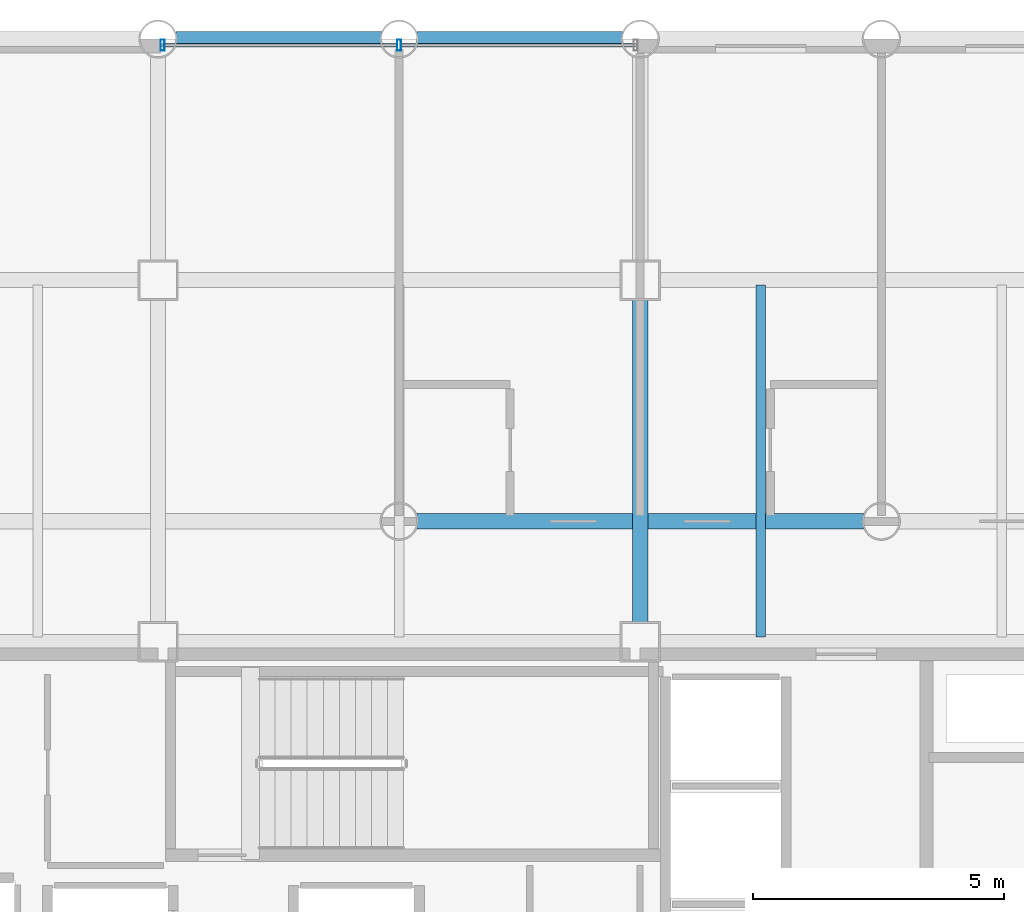
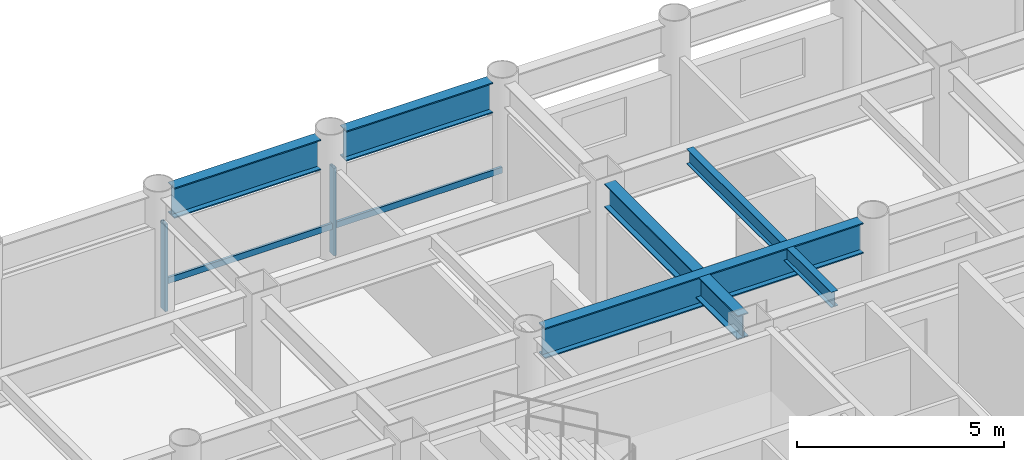
# One storey, part 11 of 19: 5 beams, 4 members, 1 element without a shape of its own.
"""IFC4 building model written with IfcOpenShell, lengths in metres."""

from ifc_helpers import new_model, si_unit, direction, frame, origin, origin_2d, place, context, subcontext, project, spatial, hollow_rectangle, i_section, extrude, material, layer, layer_set, material_profile, profile_set, type_object, element, aggregate, save


model = new_model("IFC4")

# Units and contexts
model_context = context("Model", 3, precision=1e-05, world=origin(), true_north=direction((0.0, 1.0)))
body_context = subcontext(model_context, "Body", "Model", "MODEL_VIEW")
ifc_project = project(units=[si_unit("LENGTHUNIT", "METRE"), si_unit("AREAUNIT", "SQUARE_METRE"), si_unit("VOLUMEUNIT", "CUBIC_METRE"), si_unit("PLANEANGLEUNIT", "RADIAN"), si_unit("MASSUNIT", "GRAM", prefix="KILO")], contexts=[model_context])

# Site, building, storey
site_placement = place(None, origin())
site = spatial("IfcSite", under=ifc_project, at=site_placement, CompositionType="ELEMENT")
building_placement = place(site_placement, origin())
building = spatial("IfcBuilding", under=site, at=building_placement, Name="Kallvorn Hotel Tower", CompositionType="ELEMENT")
storey_placement = place(building_placement, frame((0.0, 0.0, 67.0)))
storey = spatial("IfcBuildingStorey", under=building, at=storey_placement, Name="L15", CompositionType="ELEMENT", Elevation=67.0)

# Beams
ifc_material_1 = material(Name="Structural steel S355JR", Category="steel")
ifc_material_profile_1 = material_profile(ifc_material_1, i_section(OverallWidth=0.300048828125, OverallDepth=0.699951171875, WebThickness=0.01708984375, FlangeThickness=0.031982421875, at=origin_2d()), Name="HE 700 B")
ifc_profile_set_1 = profile_set([ifc_material_profile_1], Name="Structural steel S355JR")
beam_type_1 = type_object("IfcBeamType", Name="BM_HE700B", PredefinedType="BEAM", material=ifc_profile_set_1)
beam_1_placement = place(storey_placement, frame((4.800048828125, 7.574951171875, 3.169921875), z_axis=(0.0, 1.0, 0.0), x_axis=(-1.0, 0.0, 0.0)))
element("IfcBeam", 1, at=beam_1_placement, inside=storey, type_object=beam_type_1, Name="L16 Primary Y-Girder 116", PredefinedType="BEAM", context=body_context, shape_type="SweptSolid", body=[
    extrude(i_section(OverallWidth=0.300048828125, OverallDepth=0.699951171875, WebThickness=0.01708984375, FlangeThickness=0.031982421875, at=origin_2d()), origin(), (0.0, 0.0, 1.0), 6.449951171875),
])
ifc_material_2 = material(Name="Structural steel S355JR", Category="steel")
ifc_material_profile_2 = material_profile(ifc_material_2, i_section(OverallWidth=0.300048828125, OverallDepth=0.89990234375, WebThickness=0.0185546875, FlangeThickness=0.034912109375, at=origin_2d()), Name="HE 900 B")
ifc_profile_set_2 = profile_set([ifc_material_profile_2], Name="Structural steel S355JR")
beam_type_2 = type_object("IfcBeamType", Name="BM_HE900B", PredefinedType="BEAM", material=ifc_profile_set_2)
beam_2_placement = place(storey_placement, frame((0.35595703125, 9.60009765625, 3.070068359375), z_axis=(1.0, 0.0, 0.0), x_axis=(0.0, 1.0, 0.0)))
element("IfcBeam", 2, at=beam_2_placement, inside=storey, type_object=beam_type_2, Name="L16 Primary X-Girder 46", PredefinedType="BEAM", context=body_context, shape_type="SweptSolid", body=[
    extrude(i_section(OverallWidth=0.300048828125, OverallDepth=0.89990234375, WebThickness=0.0185546875, FlangeThickness=0.034912109375, at=origin_2d()), origin(), (0.0, 0.0, 1.0), 8.887939453125),
])
for number, where, z_axis, x_axis, name in (
    (3, (-4.444091796875, 19.199951171875, 3.070068359375), (1.0, 0.0, 0.0), (0.0, 1.0, 0.0), "L16 Primary X-Girder 66"),
    (4, (0.35595703125, 19.199951171875, 3.070068359375), (1.0, 0.0, 0.0), (0.0, 1.0, 0.0), "L16 Primary X-Girder 67"),
):
    element("IfcBeam", number, at=place(storey_placement, frame(where, z_axis=z_axis, x_axis=x_axis)), inside=storey, type_object=beam_type_2, Name=name, PredefinedType="BEAM", context=body_context, shape_type="SweptSolid", body=[
        extrude(i_section(OverallWidth=0.300048828125, OverallDepth=0.89990234375, WebThickness=0.0185546875, FlangeThickness=0.034912109375, at=origin_2d()), origin(), (0.0, 0.0, 1.0), 4.088134765625),
    ])
ifc_material_3 = material(Name="Structural steel S355JR", Category="steel")
ifc_material_profile_3 = material_profile(ifc_material_3, i_section(OverallWidth=0.18994140625, OverallDepth=0.449951171875, WebThickness=0.009521484375, FlangeThickness=0.0146484375, at=origin_2d()), Name="IPE 450")
ifc_profile_set_3 = profile_set([ifc_material_profile_3], Name="Structural steel S355JR")
beam_type_3 = type_object("IfcBeamType", Name="BM_IPE450", PredefinedType="JOIST", material=ifc_profile_set_3)
beam_3_placement = place(storey_placement, frame((7.199951171875, 7.300048828125, 3.294921875), z_axis=(0.0, 1.0, 0.0), x_axis=(-1.0, 0.0, 0.0)))
element("IfcBeam", 5, at=beam_3_placement, inside=storey, type_object=beam_type_3, Name="L16 Secondary Composite Joist 203", PredefinedType="JOIST", context=body_context, shape_type="SweptSolid", body=[
    extrude(i_section(OverallWidth=0.18994140625, OverallDepth=0.449951171875, WebThickness=0.009521484375, FlangeThickness=0.0146484375, at=origin_2d()), origin(), (0.0, 0.0, 1.0), 7.0),
])

# Curtain wall, members
ifc_material_4 = material(Name="Thermally broken black-anodised aluminium AA 6063-T6", Category="aluminium")
ifc_layer = layer(ifc_material_4, 0.199951171875)
ifc_layer_set = layer_set([ifc_layer], Name="CW_SYS_3_HOTEL_LOW")
curtain_wall_type = type_object("IfcCurtainWallType", Name="CW_SYS_3_HOTEL_LOW", PredefinedType="USERDEFINED", material=ifc_layer_set)
curtain_wall_placement = place(storey_placement, origin())
curtain_wall = element("IfcCurtainWall", 6, at=curtain_wall_placement, inside=storey, type_object=curtain_wall_type, Name="L15 Dark-Glass Curtain Wall CW-L15-NC", ObjectType="UNITISED CURTAIN WALL", PredefinedType="USERDEFINED")
ifc_material_5 = material(Name="Thermally broken black-anodised aluminium AA 6063-T6", Category="aluminium")
ifc_material_profile_4 = material_profile(ifc_material_5, hollow_rectangle(XDim=0.080078125, YDim=0.219970703125, WallThickness=0.0048828125, at=origin_2d()), Name="MUL 220x80")
ifc_profile_set_4 = profile_set([ifc_material_profile_4], Name="Thermally broken black-anodised aluminium AA 6063-T6")
member_type_1 = type_object("IfcMemberType", Name="CW_MULLION_220x80", PredefinedType="MULLION", material=ifc_profile_set_4)
member_1_placement = place(storey_placement, frame((-4.7099609375, 19.080078125, 0.02001953125), z_axis=(0.0, 0.0, 1.0), x_axis=(1.0, 0.0, 0.0)))
member_1 = element("IfcMember", 7, at=member_1_placement, type_object=member_type_1, Name="CW-L15-NC Mullion 00", PredefinedType="MULLION", context=body_context, shape_type="SweptSolid", body=[
    extrude(hollow_rectangle(XDim=0.080078125, YDim=0.219970703125, WallThickness=0.0048828125, at=origin_2d()), origin(), (0.0, 0.0, 1.0), 2.580078125),
])
member_2_placement = place(storey_placement, frame((0.0, 19.080078125, 0.02001953125), z_axis=(0.0, 0.0, 1.0), x_axis=(1.0, 0.0, 0.0)))
member_2 = element("IfcMember", 8, at=member_2_placement, type_object=member_type_1, Name="CW-L15-NC Mullion 01", PredefinedType="MULLION", context=body_context, shape_type="SweptSolid", body=[
    extrude(hollow_rectangle(XDim=0.080078125, YDim=0.219970703125, WallThickness=0.0048828125, at=origin_2d()), origin(), (0.0, 0.0, 1.0), 2.580078125),
])
ifc_material_6 = material(Name="Thermally broken black-anodised aluminium AA 6063-T6", Category="aluminium")
ifc_material_profile_5 = material_profile(ifc_material_6, hollow_rectangle(XDim=0.070068359375, YDim=0.179931640625, WallThickness=0.00390625, at=origin_2d()), Name="TRN 180x70")
ifc_profile_set_5 = profile_set([ifc_material_profile_5], Name="Thermally broken black-anodised aluminium AA 6063-T6")
member_type_2 = type_object("IfcMemberType", Name="CW_TRANSOM_180x70", PredefinedType="USERDEFINED", material=ifc_profile_set_5)
member_3_placement = place(storey_placement, frame((-4.7099609375, 19.080078125, 0.85009765625), z_axis=(1.0, 0.0, 0.0), x_axis=(0.0, 1.0, 0.0)))
member_3 = element("IfcMember", 9, at=member_3_placement, type_object=member_type_2, Name="CW-L15-NC Transom 00M", ObjectType="TRANSOM", PredefinedType="USERDEFINED", context=body_context, shape_type="SweptSolid", body=[
    extrude(hollow_rectangle(XDim=0.070068359375, YDim=0.179931640625, WallThickness=0.00390625, at=origin_2d()), origin(), (0.0, 0.0, 1.0), 4.669921875),
])
member_4_placement = place(storey_placement, frame((0.0400390625, 19.080078125, 0.85009765625), z_axis=(1.0, 0.0, 0.0), x_axis=(0.0, 1.0, 0.0)))
member_4 = element("IfcMember", 10, at=member_4_placement, type_object=member_type_2, Name="CW-L15-NC Transom 01M", ObjectType="TRANSOM", PredefinedType="USERDEFINED", context=body_context, shape_type="SweptSolid", body=[
    extrude(hollow_rectangle(XDim=0.070068359375, YDim=0.179931640625, WallThickness=0.00390625, at=origin_2d()), origin(), (0.0, 0.0, 1.0), 4.669921875),
])
aggregate(curtain_wall, [member_1, member_2, member_3, member_4])

save(model, "model.ifc")
